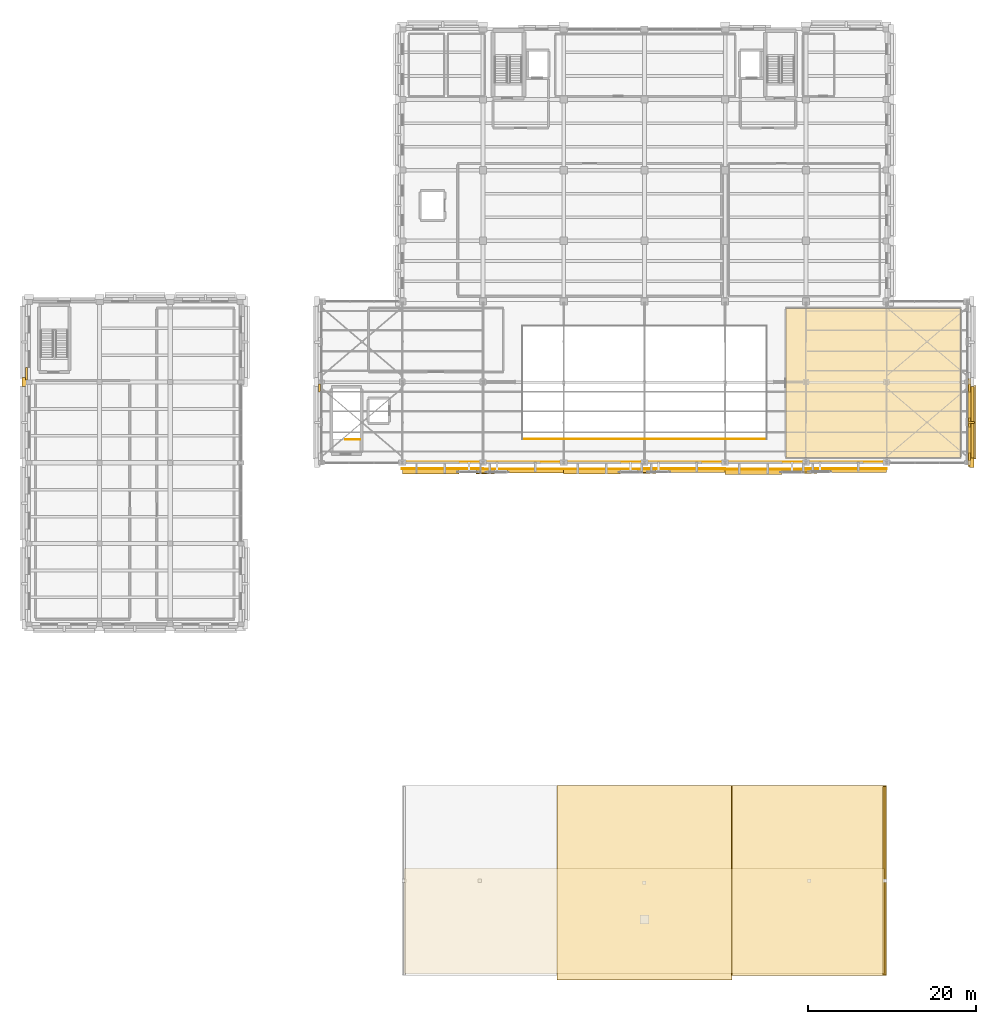
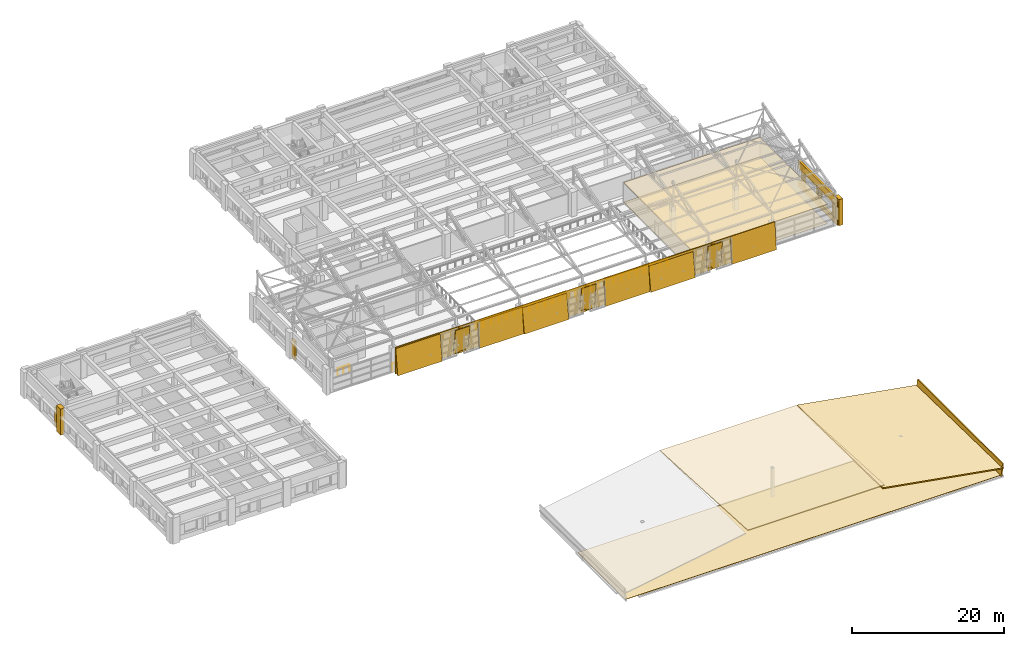
# One storey, part 53 of 58: 32 coverings, 3 railings, 1 shading device.
"""IFC4 building model written with IfcOpenShell, lengths in metres."""

from ifc_helpers import new_model, si_unit, direction, frame, origin, origin_2d, place, context, subcontext, project, spatial, polyline, rectangle, circle, outline, extrude, material, layer, layer_set, type_object, element, save


model = new_model("IFC4")

# Units and contexts
model_context = context("Model", 3, precision=1e-05, world=origin(), true_north=direction((0.0, 1.0)))
body_context = subcontext(model_context, "Body", "Model", "MODEL_VIEW")
ifc_project = project(units=[si_unit("LENGTHUNIT", "METRE"), si_unit("AREAUNIT", "SQUARE_METRE"), si_unit("VOLUMEUNIT", "CUBIC_METRE"), si_unit("PLANEANGLEUNIT", "RADIAN"), si_unit("MASSUNIT", "GRAM", prefix="KILO")], contexts=[model_context])

# Site, building, storey
site_placement = place(None, origin())
site = spatial("IfcSite", under=ifc_project, at=site_placement, CompositionType="ELEMENT")
building_placement = place(site_placement, origin())
building = spatial("IfcBuilding", under=site, at=building_placement, Name="Bempovik Park Faculty of Sciences", CompositionType="ELEMENT")
storey_placement = place(building_placement, frame((0.0, 0.0, 18.300048828125)))
storey = spatial("IfcBuildingStorey", under=building, at=storey_placement, Name="L04", CompositionType="ELEMENT", Elevation=18.300048828125)

# Coverings
ifc_material_1 = material(Name="Acoustic mineral ceiling tile")
ifc_layer_1 = layer(ifc_material_1, 0.0400390625)
ifc_layer_set_1 = layer_set([ifc_layer_1], Name="Acoustic mineral ceiling tile")
covering_type_1 = type_object("IfcCoveringType", Name="CE-01 Acoustic Ceiling 40mm", PredefinedType="CEILING", material=ifc_layer_set_1)
covering_1_placement = place(storey_placement, frame((0.0, 0.0, 3.10986328125)))
element("IfcCovering", 1, at=covering_1_placement, inside=storey, type_object=covering_type_1, Name="L04 Atrium Sawtooth East Seminar Gallery Acoustic Ceiling", PredefinedType="CEILING", context=body_context, shape_type="SweptSolid", body=[
    extrude(outline(polyline([(105.6298828125, 68.429931640625), (126.3701171875, 68.429931640625), (126.3701171875, 86.169921875), (105.6298828125, 86.169921875), (105.6298828125, 68.429931640625)])), origin(), (0.0, 0.0, 1.0), 0.0400390625),
])
ifc_material_2 = material(Name="White reconstituted limestone precast C40/50", Category="masonry")
ifc_layer_2 = layer(ifc_material_2, 0.1201171875)
ifc_layer_set_2 = layer_set([ifc_layer_2], Name="White reconstituted limestone precast C40/50")
covering_type_2 = type_object("IfcCoveringType", Name="CL-01 Crystal Limestone Facet 120mm", PredefinedType="CLADDING", material=ifc_layer_set_2)
covering_2_placement = place(storey_placement, frame((64.800048828125, 67.076904296875, -0.0400390625), z_axis=(0.0, 0.0, 1.0), x_axis=(1.0, 0.0, 0.0)))
element("IfcCovering", 2, at=covering_2_placement, inside=storey, type_object=covering_type_2, Name="L04 White Crystal Seam Backing 678-600", PredefinedType="CLADDING", context=body_context, shape_type="SweptSolid", body=[
    extrude(rectangle(XDim=9.679931640625, YDim=0.10009765625, at=origin_2d()), origin(), (0.0, 0.0, 1.0), 4.280029296875),
])
covering_3_placement = place(storey_placement, frame((63.37158203125, 66.553955078125, -0.021240234375), z_axis=(0.0, 0.132256390257, 0.991215540252), x_axis=(1.0, 0.0, 0.0)))
element("IfcCovering", 3, at=covering_3_placement, inside=storey, type_object=covering_type_2, Name="L04 Tilted Crystal Limestone Facet FAC-CRYS-L04-678-600", PredefinedType="CLADDING", context=body_context, shape_type="SweptSolid", body=[
    extrude(rectangle(XDim=6.742919921875, YDim=0.139892578125, at=origin_2d()), origin(), (0.0, 0.0, 1.0), 4.280029296875),
])
covering_4_placement = place(storey_placement, frame((74.39990234375, 67.062255859375, -0.0400390625), z_axis=(0.0, 0.0, 1.0), x_axis=(1.0, 0.0, 0.0)))
element("IfcCovering", 4, at=covering_4_placement, inside=storey, type_object=covering_type_2, Name="L04 White Crystal Seam Backing 678-696", PredefinedType="CLADDING", context=body_context, shape_type="SweptSolid", body=[
    extrude(rectangle(XDim=9.679931640625, YDim=0.10009765625, at=origin_2d()), origin(), (0.0, 0.0, 1.0), 4.280029296875),
])
covering_5_placement = place(storey_placement, frame((69.848388671875, 67.1201171875, -0.019287109375), z_axis=(0.0, -0.13917310096, 0.990268068742), x_axis=(1.0, 0.0, 0.0)))
element("IfcCovering", 5, at=covering_5_placement, inside=storey, type_object=covering_type_2, Name="L04 Tilted Crystal Limestone Facet FAC-CRYS-L04-678-696", PredefinedType="CLADDING", context=body_context, shape_type="SweptSolid", body=[
    extrude(rectangle(XDim=2.199951171875, YDim=0.139892578125, at=origin_2d()), origin(), (0.0, 0.0, 1.0), 4.280029296875),
])
covering_6_placement = place(storey_placement, frame((75.82861328125, 66.658447265625, -0.0283203125), z_axis=(0.0, 0.104528463268, 0.994521895368), x_axis=(1.0, 0.0, 0.0)))
element("IfcCovering", 6, at=covering_6_placement, inside=storey, type_object=covering_type_2, Name="L04 Counter-Tilted Crystal Facet FAC-CRYS-L04-678-696-R", PredefinedType="CLADDING", context=body_context, shape_type="SweptSolid", body=[
    extrude(rectangle(XDim=6.742919921875, YDim=0.139892578125, at=origin_2d()), origin(), (0.0, 0.0, 1.0), 4.280029296875),
])
covering_7_placement = place(storey_placement, frame((84.0, 67.0546875, -0.0400390625), z_axis=(0.0, 0.0, 1.0), x_axis=(1.0, 0.0, 0.0)))
element("IfcCovering", 7, at=covering_7_placement, inside=storey, type_object=covering_type_2, Name="L04 White Crystal Seam Backing 678-792", PredefinedType="CLADDING", context=body_context, shape_type="SweptSolid", body=[
    extrude(rectangle(XDim=9.679931640625, YDim=0.10009765625, at=origin_2d()), origin(), (0.0, 0.0, 1.0), 4.280029296875),
])
covering_8_placement = place(storey_placement, frame((82.571533203125, 66.509521484375, -0.018310546875), z_axis=(0.0, 0.142628933706, 0.989776230908), x_axis=(1.0, 0.0, 0.0)))
element("IfcCovering", 8, at=covering_8_placement, inside=storey, type_object=covering_type_2, Name="L04 Tilted Crystal Limestone Facet FAC-CRYS-L04-678-792", PredefinedType="CLADDING", context=body_context, shape_type="SweptSolid", body=[
    extrude(rectangle(XDim=6.742919921875, YDim=0.139892578125, at=origin_2d()), origin(), (0.0, 0.0, 1.0), 4.280029296875),
])
covering_9_placement = place(storey_placement, frame((93.60009765625, 67.08447265625, -0.0400390625), z_axis=(0.0, 0.0, 1.0), x_axis=(1.0, 0.0, 0.0)))
element("IfcCovering", 9, at=covering_9_placement, inside=storey, type_object=covering_type_2, Name="L04 White Crystal Seam Backing 678-888", PredefinedType="CLADDING", context=body_context, shape_type="SweptSolid", body=[
    extrude(rectangle(XDim=9.679931640625, YDim=0.10009765625, at=origin_2d()), origin(), (0.0, 0.0, 1.0), 4.280029296875),
])
covering_10_placement = place(storey_placement, frame((89.048583984375, 67.1201171875, -0.022216796875), z_axis=(0.0, -0.128795596578, 0.991671162383), x_axis=(1.0, 0.0, 0.0)))
element("IfcCovering", 10, at=covering_10_placement, inside=storey, type_object=covering_type_2, Name="L04 Tilted Crystal Limestone Facet FAC-CRYS-L04-678-888", PredefinedType="CLADDING", context=body_context, shape_type="SweptSolid", body=[
    extrude(rectangle(XDim=2.199951171875, YDim=0.139892578125, at=origin_2d()), origin(), (0.0, 0.0, 1.0), 4.280029296875),
])
covering_11_placement = place(storey_placement, frame((95.028564453125, 66.697265625, -0.030029296875), z_axis=(0.0, 0.096714362966, 0.995312178161), x_axis=(1.0, 0.0, 0.0)))
element("IfcCovering", 11, at=covering_11_placement, inside=storey, type_object=covering_type_2, Name="L04 Counter-Tilted Crystal Facet FAC-CRYS-L04-678-888-R", PredefinedType="CLADDING", context=body_context, shape_type="SweptSolid", body=[
    extrude(rectangle(XDim=6.742919921875, YDim=0.139892578125, at=origin_2d()), origin(), (0.0, 0.0, 1.0), 4.280029296875),
])
covering_12_placement = place(storey_placement, frame((103.199951171875, 67.04736328125, -0.0400390625), z_axis=(0.0, 0.0, 1.0), x_axis=(1.0, 0.0, 0.0)))
element("IfcCovering", 12, at=covering_12_placement, inside=storey, type_object=covering_type_2, Name="L04 White Crystal Seam Backing 678-984", PredefinedType="CLADDING", context=body_context, shape_type="SweptSolid", body=[
    extrude(rectangle(XDim=9.679931640625, YDim=0.10009765625, at=origin_2d()), origin(), (0.0, 0.0, 1.0), 4.280029296875),
])
covering_13_placement = place(storey_placement, frame((101.771484375, 66.494873046875, -0.01708984375), z_axis=(0.0, 0.146083028562, 0.989272332963), x_axis=(1.0, 0.0, 0.0)))
element("IfcCovering", 13, at=covering_13_placement, inside=storey, type_object=covering_type_2, Name="L04 Tilted Crystal Limestone Facet FAC-CRYS-L04-678-984", PredefinedType="CLADDING", context=body_context, shape_type="SweptSolid", body=[
    extrude(rectangle(XDim=6.742919921875, YDim=0.139892578125, at=origin_2d()), origin(), (0.0, 0.0, 1.0), 4.280029296875),
])
covering_14_placement = place(storey_placement, frame((112.800048828125, 67.106689453125, -0.0400390625), z_axis=(0.0, 0.0, 1.0), x_axis=(1.0, 0.0, 0.0)))
element("IfcCovering", 14, at=covering_14_placement, inside=storey, type_object=covering_type_2, Name="L04 White Crystal Seam Backing 678-1080", PredefinedType="CLADDING", context=body_context, shape_type="SweptSolid", body=[
    extrude(rectangle(XDim=9.679931640625, YDim=0.10009765625, at=origin_2d()), origin(), (0.0, 0.0, 1.0), 4.280029296875),
])
covering_15_placement = place(storey_placement, frame((108.24853515625, 67.1201171875, -0.025146484375), z_axis=(0.0, -0.118403968307, 0.992965508107), x_axis=(1.0, 0.0, 0.0)))
element("IfcCovering", 15, at=covering_15_placement, inside=storey, type_object=covering_type_2, Name="L04 Tilted Crystal Limestone Facet FAC-CRYS-L04-678-1080", PredefinedType="CLADDING", context=body_context, shape_type="SweptSolid", body=[
    extrude(rectangle(XDim=2.199951171875, YDim=0.139892578125, at=origin_2d()), origin(), (0.0, 0.0, 1.0), 4.280029296875),
])
covering_16_placement = place(storey_placement, frame((114.228515625, 66.736328125, -0.03173828125), z_axis=(0.0, 0.088894296866, 0.996041065411), x_axis=(1.0, 0.0, 0.0)))
element("IfcCovering", 16, at=covering_16_placement, inside=storey, type_object=covering_type_2, Name="L04 Counter-Tilted Crystal Facet FAC-CRYS-L04-678-1080-R", PredefinedType="CLADDING", context=body_context, shape_type="SweptSolid", body=[
    extrude(rectangle(XDim=6.742919921875, YDim=0.139892578125, at=origin_2d()), origin(), (0.0, 0.0, 1.0), 4.280029296875),
])
covering_17_placement = place(storey_placement, frame((78.39990234375, 6.300048828125, 5.300048828125), z_axis=(0.0, 0.051886849102, 0.9986529702), x_axis=(1.0, 0.0, 0.0)))
element("IfcCovering", 17, at=covering_17_placement, inside=storey, type_object=covering_type_2, Name="Learning Commons Elevated Crystal Roof Facet LC-FAC-SC", PredefinedType="CLADDING", context=body_context, shape_type="SweptSolid", body=[
    extrude(outline(polyline([(0.0, 0.0), (20.800048828125, 0.0), (20.800048828125, 23.13101167764782), (0.0, 23.13101167764782), (0.0, 0.0)])), origin(), (0.0, 0.0, -1.0), 0.159912109375),
])
covering_18_placement = place(storey_placement, frame((99.199951171875, 6.800048828125, 4.5), z_axis=(0.171311250956, 0.017441233517, 0.985062565865), x_axis=(0.985212426411, 0.0, -0.171337313054)))
element("IfcCovering", 18, at=covering_18_placement, inside=storey, type_object=covering_type_2, Name="Learning Commons Elevated Crystal Roof Facet LC-FAC-SE", PredefinedType="CLADDING", context=body_context, shape_type="SweptSolid", body=[
    extrude(outline(polyline([(0.0, 0.0), (18.676323999889323, 0.0), (18.744884023350313, 22.60329169965845), (0.06856002346098894, 22.60329169965845), (0.0, 0.0)])), origin(), (0.0, 0.0, -1.0), 0.159912109375),
])
covering_19_placement = place(storey_placement, frame((117.281005859375, 18.10009765625, -0.193359375), z_axis=(0.113203213768, 0.0, 0.993571855677), x_axis=(0.0, 1.0, 0.0)))
element("IfcCovering", 19, at=covering_19_placement, inside=storey, type_object=covering_type_2, Name="Learning Commons Crystal Side Clerestory Facet LC-CRYS-E", PredefinedType="CLADDING", context=body_context, shape_type="SweptSolid", body=[
    extrude(rectangle(XDim=22.39990234375, YDim=0.179931640625, at=origin_2d()), origin(), (0.0, 0.0, 1.0), 2.10009765625),
])
ifc_material_3 = material(Name="Precast concrete C40/50", Category="concrete")
ifc_layer_3 = layer(ifc_material_3, 0.179931640625)
ifc_layer_set_3 = layer_set([ifc_layer_3], Name="Precast concrete C40/50")
covering_type_3 = type_object("IfcCoveringType", Name="CL-02 Classical Cornice Band 180mm", PredefinedType="CLADDING", material=ifc_layer_set_3)
covering_20_placement = place(storey_placement, frame((127.77001953125, 72.60009765625, 2.91015625), z_axis=(0.0, 0.0, 1.0), x_axis=(1.0, 0.0, 0.0)))
element("IfcCovering", 20, at=covering_20_placement, inside=storey, type_object=covering_type_3, Name="L04 Classical Stone Solar Window Hood EW-L04-9887", PredefinedType="CLADDING", context=body_context, shape_type="SweptSolid", body=[
    extrude(rectangle(XDim=0.919921875, YDim=8.74609375, at=origin_2d()), origin(), (0.0, 0.0, 1.0), 0.219970703125),
])
ifc_layer_4 = layer(ifc_material_2, 0.239990234375)
ifc_layer_set_4 = layer_set([ifc_layer_4], Name="White reconstituted limestone precast C40/50")
covering_type_4 = type_object("IfcCoveringType", Name="CL-03 Classical Fluted Limestone Pilaster 240mm", PredefinedType="CLADDING", material=ifc_layer_set_4)
covering_21_placement = place(storey_placement, frame((15.070068359375, 77.39990234375, 0.0), z_axis=(0.0, 0.0, 1.0), x_axis=(1.0, 0.0, 0.0)))
element("IfcCovering", 21, at=covering_21_placement, inside=storey, type_object=covering_type_4, Name="L04 Classical Fluted Stone Pilaster PIL-BA-L04-151-774", PredefinedType="CLADDING", context=body_context, shape_type="SweptSolid", body=[
    extrude(rectangle(XDim=0.580078125, YDim=1.10009765625, at=origin_2d()), origin(), (0.0, 0.0, 1.0), 4.199951171875),
])
covering_22_placement = place(storey_placement, frame((15.300048828125, 78.388916015625, 0.0), z_axis=(0.0, 0.0, 1.0), x_axis=(1.0, 0.0, 0.0)))
element("IfcCovering", 22, at=covering_22_placement, inside=storey, type_object=covering_type_4, Name="L04 White Limestone Wall Cheek EW-L04-9340-0", PredefinedType="CLADDING", context=body_context, shape_type="SweptSolid", body=[
    extrude(rectangle(XDim=0.239990234375, YDim=1.43359375, at=origin_2d()), origin(), (0.0, 0.0, 1.0), 3.080078125),
])
covering_23_placement = place(storey_placement, frame((50.1298828125, 76.690185546875, 0.0), z_axis=(0.0, 0.0, 1.0), x_axis=(1.0, 0.0, 0.0)))
element("IfcCovering", 23, at=covering_23_placement, inside=storey, type_object=covering_type_4, Name="L04 White Limestone Wall Cheek EW-L04-9658-4", PredefinedType="CLADDING", context=body_context, shape_type="SweptSolid", body=[
    extrude(rectangle(XDim=0.239990234375, YDim=0.916015625, at=origin_2d()), origin(), (0.0, 0.0, 1.0), 3.080078125),
])
covering_24_placement = place(storey_placement, frame((127.47998046875, 72.60009765625, 2.919921875), z_axis=(0.0, 0.0, 1.0), x_axis=(1.0, 0.0, 0.0)))
element("IfcCovering", 24, at=covering_24_placement, inside=storey, type_object=covering_type_4, Name="L04 Classical Limestone Spandrel Entablature EW-L04-9887", PredefinedType="CLADDING", context=body_context, shape_type="SweptSolid", body=[
    extrude(rectangle(XDim=0.340087890625, YDim=10.446044921875, at=origin_2d()), origin(), (0.0, 0.0, 1.0), 1.280029296875),
])
covering_25_placement = place(storey_placement, frame((127.47998046875, 72.60009765625, 0.0), z_axis=(0.0, 0.0, 1.0), x_axis=(1.0, 0.0, 0.0)))
element("IfcCovering", 25, at=covering_25_placement, inside=storey, type_object=covering_type_4, Name="L04 Classical Limestone Sill Dado EW-L04-9887", PredefinedType="CLADDING", context=body_context, shape_type="SweptSolid", body=[
    extrude(rectangle(XDim=0.340087890625, YDim=10.446044921875, at=origin_2d()), origin(), (0.0, 0.0, 1.0), 0.780029296875),
])
covering_26_placement = place(storey_placement, frame((127.72998046875, 67.800048828125, 0.0), z_axis=(0.0, 0.0, 1.0), x_axis=(1.0, 0.0, 0.0)))
element("IfcCovering", 26, at=covering_26_placement, inside=storey, type_object=covering_type_4, Name="L04 Classical Fluted Stone Pilaster PIL-BA-L04-1277-678", PredefinedType="CLADDING", context=body_context, shape_type="SweptSolid", body=[
    extrude(rectangle(XDim=0.580078125, YDim=1.10009765625, at=origin_2d()), origin(), (0.0, 0.0, 1.0), 4.199951171875),
])
covering_27_placement = place(storey_placement, frame((127.469970703125, 68.510009765625, 0.0), z_axis=(0.0, 0.0, 1.0), x_axis=(1.0, 0.0, 0.0)))
element("IfcCovering", 27, at=covering_27_placement, inside=storey, type_object=covering_type_4, Name="L04 White Limestone Wall Cheek EW-L04-9887-0", PredefinedType="CLADDING", context=body_context, shape_type="SweptSolid", body=[
    extrude(rectangle(XDim=0.239990234375, YDim=0.916015625, at=origin_2d()), origin(), (0.0, 0.0, 1.0), 3.080078125),
])
covering_28_placement = place(storey_placement, frame((127.469970703125, 72.60009765625, 0.0), z_axis=(0.0, 0.0, 1.0), x_axis=(1.0, 0.0, 0.0)))
element("IfcCovering", 28, at=covering_28_placement, inside=storey, type_object=covering_type_4, Name="L04 White Limestone Wall Cheek EW-L04-9887-2", PredefinedType="CLADDING", context=body_context, shape_type="SweptSolid", body=[
    extrude(rectangle(XDim=0.239990234375, YDim=1.104248046875, at=origin_2d()), origin(), (0.0, 0.0, 1.0), 3.080078125),
])
covering_29_placement = place(storey_placement, frame((127.469970703125, 76.690185546875, 0.0), z_axis=(0.0, 0.0, 1.0), x_axis=(1.0, 0.0, 0.0)))
element("IfcCovering", 29, at=covering_29_placement, inside=storey, type_object=covering_type_4, Name="L04 White Limestone Wall Cheek EW-L04-9887-4", PredefinedType="CLADDING", context=body_context, shape_type="SweptSolid", body=[
    extrude(rectangle(XDim=0.239990234375, YDim=0.916015625, at=origin_2d()), origin(), (0.0, 0.0, 1.0), 3.080078125),
])
covering_30_placement = place(storey_placement, frame((127.679931640625, 72.60009765625, 1.300048828125), z_axis=(0.0, 0.0, 1.0), x_axis=(1.0, 0.0, 0.0)))
element("IfcCovering", 30, at=covering_30_placement, inside=storey, type_object=covering_type_4, Name="L04 Classical Vertical Stone Shading Fin EW-L04-9887", PredefinedType="CLADDING", context=body_context, shape_type="SweptSolid", body=[
    extrude(rectangle(XDim=0.719970703125, YDim=0.280029296875, at=origin_2d()), origin(), (0.0, 0.0, 1.0), 1.64990234375),
])
ifc_material_4 = material(Name="Polished mineral terrazzo flooring")
ifc_layer_5 = layer(ifc_material_4, 0.030029296875)
ifc_layer_set_5 = layer_set([ifc_layer_5], Name="Polished mineral terrazzo flooring")
covering_type_5 = type_object("IfcCoveringType", Name="FL-01 Terrazzo Flooring 30mm", PredefinedType="FLOORING", material=ifc_layer_set_5)
covering_31_placement = place(storey_placement, origin())
element("IfcCovering", 31, at=covering_31_placement, inside=storey, type_object=covering_type_5, Name="L04 Atrium Sawtooth East Seminar Gallery Terrazzo Flooring", PredefinedType="FLOORING", context=body_context, shape_type="SweptSolid", body=[
    extrude(outline(polyline([(105.6298828125, 68.429931640625), (126.3701171875, 68.429931640625), (126.3701171875, 86.169921875), (105.6298828125, 86.169921875), (105.6298828125, 68.429931640625)])), origin(), (0.0, 0.0, 1.0), 0.030029296875),
])

# Railings
ifc_material_5 = material(Name="Anodised architectural bronze")
railing_type = type_object("IfcRailingType", Name="GR-01 Guardrail 1120mm", PredefinedType="GUARDRAIL", material=ifc_material_5)
railing_1_placement = place(storey_placement, frame((60.0, 67.919921875, 0.0)))
element("IfcRailing", 32, at=railing_1_placement, inside=storey, type_object=railing_type, Name="L04 Concourse South Edge Guardrail GR-L04-ATRS-678", PredefinedType="GUARDRAIL", context=body_context, shape_type="SweptSolid", body=[
    extrude(circle(Radius=0.02392578125, at=origin_2d()), frame((0.0, 0.0, 1.09619140625), z_axis=(1.0, 0.0, 0.0), x_axis=(0.0, 1.0, 0.0)), (0.0, 0.0, 1.0), 57.60009765625),
    extrude(circle(Radius=0.02099609375, at=origin_2d()), origin(), (0.0, 0.0, 1.0), 1.072021484375),
    extrude(circle(Radius=0.02099609375, at=origin_2d()), frame((1.175537109375, 0.0, 0.0)), (0.0, 0.0, 1.0), 1.072021484375),
    extrude(circle(Radius=0.02099609375, at=origin_2d()), frame((2.35107421875, 0.0, 0.0)), (0.0, 0.0, 1.0), 1.072021484375),
    extrude(circle(Radius=0.02099609375, at=origin_2d()), frame((3.526611328125, 0.0, 0.0)), (0.0, 0.0, 1.0), 1.072021484375),
    extrude(circle(Radius=0.02099609375, at=origin_2d()), frame((4.7021484375, 0.0, 0.0)), (0.0, 0.0, 1.0), 1.072021484375),
    extrude(circle(Radius=0.02099609375, at=origin_2d()), frame((5.87744140625, 0.0, 0.0)), (0.0, 0.0, 1.0), 1.072021484375),
    extrude(circle(Radius=0.02099609375, at=origin_2d()), frame((7.052978515625, 0.0, 0.0)), (0.0, 0.0, 1.0), 1.072021484375),
    extrude(circle(Radius=0.02099609375, at=origin_2d()), frame((8.228515625, 0.0, 0.0)), (0.0, 0.0, 1.0), 1.072021484375),
    extrude(circle(Radius=0.02099609375, at=origin_2d()), frame((9.404052734375, 0.0, 0.0)), (0.0, 0.0, 1.0), 1.072021484375),
    extrude(circle(Radius=0.02099609375, at=origin_2d()), frame((10.57958984375, 0.0, 0.0)), (0.0, 0.0, 1.0), 1.072021484375),
    extrude(circle(Radius=0.02099609375, at=origin_2d()), frame((11.755126953125, 0.0, 0.0)), (0.0, 0.0, 1.0), 1.072021484375),
    extrude(circle(Radius=0.02099609375, at=origin_2d()), frame((12.9306640625, 0.0, 0.0)), (0.0, 0.0, 1.0), 1.072021484375),
    extrude(circle(Radius=0.02099609375, at=origin_2d()), frame((14.106201171875, 0.0, 0.0)), (0.0, 0.0, 1.0), 1.072021484375),
    extrude(circle(Radius=0.02099609375, at=origin_2d()), frame((15.28173828125, 0.0, 0.0)), (0.0, 0.0, 1.0), 1.072021484375),
    extrude(circle(Radius=0.02099609375, at=origin_2d()), frame((16.457275390625, 0.0, 0.0)), (0.0, 0.0, 1.0), 1.072021484375),
    extrude(circle(Radius=0.02099609375, at=origin_2d()), frame((17.632568359375, 0.0, 0.0)), (0.0, 0.0, 1.0), 1.072021484375),
    extrude(circle(Radius=0.02099609375, at=origin_2d()), frame((18.80810546875, 0.0, 0.0)), (0.0, 0.0, 1.0), 1.072021484375),
    extrude(circle(Radius=0.02099609375, at=origin_2d()), frame((19.983642578125, 0.0, 0.0)), (0.0, 0.0, 1.0), 1.072021484375),
    extrude(circle(Radius=0.02099609375, at=origin_2d()), frame((21.1591796875, 0.0, 0.0)), (0.0, 0.0, 1.0), 1.072021484375),
    extrude(circle(Radius=0.02099609375, at=origin_2d()), frame((22.334716796875, 0.0, 0.0)), (0.0, 0.0, 1.0), 1.072021484375),
    extrude(circle(Radius=0.02099609375, at=origin_2d()), frame((23.51025390625, 0.0, 0.0)), (0.0, 0.0, 1.0), 1.072021484375),
    extrude(circle(Radius=0.02099609375, at=origin_2d()), frame((24.685791015625, 0.0, 0.0)), (0.0, 0.0, 1.0), 1.072021484375),
    extrude(circle(Radius=0.02099609375, at=origin_2d()), frame((25.861328125, 0.0, 0.0)), (0.0, 0.0, 1.0), 1.072021484375),
    extrude(circle(Radius=0.02099609375, at=origin_2d()), frame((27.036865234375, 0.0, 0.0)), (0.0, 0.0, 1.0), 1.072021484375),
    extrude(circle(Radius=0.02099609375, at=origin_2d()), frame((28.21240234375, 0.0, 0.0)), (0.0, 0.0, 1.0), 1.072021484375),
    extrude(circle(Radius=0.02099609375, at=origin_2d()), frame((29.3876953125, 0.0, 0.0)), (0.0, 0.0, 1.0), 1.072021484375),
    extrude(circle(Radius=0.02099609375, at=origin_2d()), frame((30.563232421875, 0.0, 0.0)), (0.0, 0.0, 1.0), 1.072021484375),
    extrude(circle(Radius=0.02099609375, at=origin_2d()), frame((31.73876953125, 0.0, 0.0)), (0.0, 0.0, 1.0), 1.072021484375),
    extrude(circle(Radius=0.02099609375, at=origin_2d()), frame((32.914306640625, 0.0, 0.0)), (0.0, 0.0, 1.0), 1.072021484375),
    extrude(circle(Radius=0.02099609375, at=origin_2d()), frame((34.08984375, 0.0, 0.0)), (0.0, 0.0, 1.0), 1.072021484375),
    extrude(circle(Radius=0.02099609375, at=origin_2d()), frame((35.265380859375, 0.0, 0.0)), (0.0, 0.0, 1.0), 1.072021484375),
    extrude(circle(Radius=0.02099609375, at=origin_2d()), frame((36.44091796875, 0.0, 0.0)), (0.0, 0.0, 1.0), 1.072021484375),
    extrude(circle(Radius=0.02099609375, at=origin_2d()), frame((37.616455078125, 0.0, 0.0)), (0.0, 0.0, 1.0), 1.072021484375),
    extrude(circle(Radius=0.02099609375, at=origin_2d()), frame((38.7919921875, 0.0, 0.0)), (0.0, 0.0, 1.0), 1.072021484375),
    extrude(circle(Radius=0.02099609375, at=origin_2d()), frame((39.967529296875, 0.0, 0.0)), (0.0, 0.0, 1.0), 1.072021484375),
    extrude(circle(Radius=0.02099609375, at=origin_2d()), frame((41.142822265625, 0.0, 0.0)), (0.0, 0.0, 1.0), 1.072021484375),
    extrude(circle(Radius=0.02099609375, at=origin_2d()), frame((42.318359375, 0.0, 0.0)), (0.0, 0.0, 1.0), 1.072021484375),
    extrude(circle(Radius=0.02099609375, at=origin_2d()), frame((43.493896484375, 0.0, 0.0)), (0.0, 0.0, 1.0), 1.072021484375),
    extrude(circle(Radius=0.02099609375, at=origin_2d()), frame((44.66943359375, 0.0, 0.0)), (0.0, 0.0, 1.0), 1.072021484375),
    extrude(circle(Radius=0.02099609375, at=origin_2d()), frame((45.844970703125, 0.0, 0.0)), (0.0, 0.0, 1.0), 1.072021484375),
    extrude(circle(Radius=0.02099609375, at=origin_2d()), frame((47.0205078125, 0.0, 0.0)), (0.0, 0.0, 1.0), 1.072021484375),
    extrude(circle(Radius=0.02099609375, at=origin_2d()), frame((48.196044921875, 0.0, 0.0)), (0.0, 0.0, 1.0), 1.072021484375),
    extrude(circle(Radius=0.02099609375, at=origin_2d()), frame((49.37158203125, 0.0, 0.0)), (0.0, 0.0, 1.0), 1.072021484375),
    extrude(circle(Radius=0.02099609375, at=origin_2d()), frame((50.547119140625, 0.0, 0.0)), (0.0, 0.0, 1.0), 1.072021484375),
    extrude(circle(Radius=0.02099609375, at=origin_2d()), frame((51.72265625, 0.0, 0.0)), (0.0, 0.0, 1.0), 1.072021484375),
    extrude(circle(Radius=0.02099609375, at=origin_2d()), frame((52.89794921875, 0.0, 0.0)), (0.0, 0.0, 1.0), 1.072021484375),
    extrude(circle(Radius=0.02099609375, at=origin_2d()), frame((54.073486328125, 0.0, 0.0)), (0.0, 0.0, 1.0), 1.072021484375),
    extrude(circle(Radius=0.02099609375, at=origin_2d()), frame((55.2490234375, 0.0, 0.0)), (0.0, 0.0, 1.0), 1.072021484375),
    extrude(circle(Radius=0.02099609375, at=origin_2d()), frame((56.424560546875, 0.0, 0.0)), (0.0, 0.0, 1.0), 1.072021484375),
    extrude(circle(Radius=0.02099609375, at=origin_2d()), frame((57.60009765625, 0.0, 0.0)), (0.0, 0.0, 1.0), 1.072021484375),
])
railing_2_placement = place(storey_placement, frame((55.0, 70.574951171875, 0.0)))
element("IfcRailing", 33, at=railing_2_placement, inside=storey, type_object=railing_type, Name="L04 ST-4 Top Well Guard 1", PredefinedType="GUARDRAIL", context=body_context, shape_type="SweptSolid", body=[
    extrude(circle(Radius=0.02392578125, at=origin_2d()), frame((0.0, 0.0, 1.09619140625), z_axis=(-1.0, 0.0, 0.0), x_axis=(0.0, -1.0, 0.0)), (0.0, 0.0, 1.0), 1.75),
    extrude(circle(Radius=0.02099609375, at=origin_2d()), origin(), (0.0, 0.0, 1.0), 1.072021484375),
    extrude(circle(Radius=0.02099609375, at=origin_2d()), frame((-0.875, 0.0, 0.0)), (0.0, 0.0, 1.0), 1.072021484375),
    extrude(circle(Radius=0.02099609375, at=origin_2d()), frame((-1.75, 0.0, 0.0)), (0.0, 0.0, 1.0), 1.072021484375),
])
railing_3_placement = place(storey_placement, frame((74.27490234375, 70.64990234375, 0.0)))
element("IfcRailing", 34, at=railing_3_placement, inside=storey, type_object=railing_type, Name="L04 Atrium Void South Guardrail", PredefinedType="GUARDRAIL", context=body_context, shape_type="SweptSolid", body=[
    extrude(circle(Radius=0.02392578125, at=origin_2d()), frame((0.0, 0.0, 1.09619140625), z_axis=(1.0, 0.0, 0.0), x_axis=(0.0, 1.0, 0.0)), (0.0, 0.0, 1.0), 29.0751953125),
    extrude(circle(Radius=0.02099609375, at=origin_2d()), origin(), (0.0, 0.0, 1.0), 1.072021484375),
    extrude(circle(Radius=0.02099609375, at=origin_2d()), frame((1.1630859375, 0.0, 0.0)), (0.0, 0.0, 1.0), 1.072021484375),
    extrude(circle(Radius=0.02099609375, at=origin_2d()), frame((2.325927734375, 0.0, 0.0)), (0.0, 0.0, 1.0), 1.072021484375),
    extrude(circle(Radius=0.02099609375, at=origin_2d()), frame((3.489013671875, 0.0, 0.0)), (0.0, 0.0, 1.0), 1.072021484375),
    extrude(circle(Radius=0.02099609375, at=origin_2d()), frame((4.652099609375, 0.0, 0.0)), (0.0, 0.0, 1.0), 1.072021484375),
    extrude(circle(Radius=0.02099609375, at=origin_2d()), frame((5.81494140625, 0.0, 0.0)), (0.0, 0.0, 1.0), 1.072021484375),
    extrude(circle(Radius=0.02099609375, at=origin_2d()), frame((6.97802734375, 0.0, 0.0)), (0.0, 0.0, 1.0), 1.072021484375),
    extrude(circle(Radius=0.02099609375, at=origin_2d()), frame((8.14111328125, 0.0, 0.0)), (0.0, 0.0, 1.0), 1.072021484375),
    extrude(circle(Radius=0.02099609375, at=origin_2d()), frame((9.303955078125, 0.0, 0.0)), (0.0, 0.0, 1.0), 1.072021484375),
    extrude(circle(Radius=0.02099609375, at=origin_2d()), frame((10.467041015625, 0.0, 0.0)), (0.0, 0.0, 1.0), 1.072021484375),
    extrude(circle(Radius=0.02099609375, at=origin_2d()), frame((11.630126953125, 0.0, 0.0)), (0.0, 0.0, 1.0), 1.072021484375),
    extrude(circle(Radius=0.02099609375, at=origin_2d()), frame((12.79296875, 0.0, 0.0)), (0.0, 0.0, 1.0), 1.072021484375),
    extrude(circle(Radius=0.02099609375, at=origin_2d()), frame((13.9560546875, 0.0, 0.0)), (0.0, 0.0, 1.0), 1.072021484375),
    extrude(circle(Radius=0.02099609375, at=origin_2d()), frame((15.119140625, 0.0, 0.0)), (0.0, 0.0, 1.0), 1.072021484375),
    extrude(circle(Radius=0.02099609375, at=origin_2d()), frame((16.2822265625, 0.0, 0.0)), (0.0, 0.0, 1.0), 1.072021484375),
    extrude(circle(Radius=0.02099609375, at=origin_2d()), frame((17.445068359375, 0.0, 0.0)), (0.0, 0.0, 1.0), 1.072021484375),
    extrude(circle(Radius=0.02099609375, at=origin_2d()), frame((18.608154296875, 0.0, 0.0)), (0.0, 0.0, 1.0), 1.072021484375),
    extrude(circle(Radius=0.02099609375, at=origin_2d()), frame((19.771240234375, 0.0, 0.0)), (0.0, 0.0, 1.0), 1.072021484375),
    extrude(circle(Radius=0.02099609375, at=origin_2d()), frame((20.93408203125, 0.0, 0.0)), (0.0, 0.0, 1.0), 1.072021484375),
    extrude(circle(Radius=0.02099609375, at=origin_2d()), frame((22.09716796875, 0.0, 0.0)), (0.0, 0.0, 1.0), 1.072021484375),
    extrude(circle(Radius=0.02099609375, at=origin_2d()), frame((23.26025390625, 0.0, 0.0)), (0.0, 0.0, 1.0), 1.072021484375),
    extrude(circle(Radius=0.02099609375, at=origin_2d()), frame((24.423095703125, 0.0, 0.0)), (0.0, 0.0, 1.0), 1.072021484375),
    extrude(circle(Radius=0.02099609375, at=origin_2d()), frame((25.586181640625, 0.0, 0.0)), (0.0, 0.0, 1.0), 1.072021484375),
    extrude(circle(Radius=0.02099609375, at=origin_2d()), frame((26.749267578125, 0.0, 0.0)), (0.0, 0.0, 1.0), 1.072021484375),
    extrude(circle(Radius=0.02099609375, at=origin_2d()), frame((27.912109375, 0.0, 0.0)), (0.0, 0.0, 1.0), 1.072021484375),
    extrude(circle(Radius=0.02099609375, at=origin_2d()), frame((29.0751953125, 0.0, 0.0)), (0.0, 0.0, 1.0), 1.072021484375),
])

# Covering
ifc_material_6 = material(Name="Insulated cool-roof membrane")
ifc_layer_6 = layer(ifc_material_6, 0.06005859375)
ifc_layer_set_6 = layer_set([ifc_layer_6], Name="Insulated cool-roof membrane")
covering_type_6 = type_object("IfcCoveringType", Name="RF-01 Cool Roof Membrane 60mm", PredefinedType="ROOFING", material=ifc_layer_set_6)
covering_32_placement = place(storey_placement, origin())
element("IfcCovering", 35, at=covering_32_placement, inside=storey, type_object=covering_type_6, Name="Cool-Roof Membrane RF-V1-CANT", PredefinedType="ROOFING", context=body_context, shape_type="SweptSolid", body=[
    extrude(outline(polyline([(60.25, 7.050048828125), (117.35009765625, 7.050048828125), (117.35009765625, 19.550048828125), (60.25, 19.550048828125), (60.25, 7.050048828125)])), origin(), (0.0, 0.0, 1.0), 0.06005859375),
])

# Shading device
ifc_layer_7 = layer(ifc_material_5, 0.06005859375)
ifc_layer_set_7 = layer_set([ifc_layer_7], Name="Anodised architectural bronze")
shading_device_type = type_object("IfcShadingDeviceType", Name="SH-01 Bronze Brise-Soleil Fin", PredefinedType="USERDEFINED", material=ifc_layer_set_7)
shading_device_placement = place(storey_placement, frame((127.64990234375, 72.60009765625, 2.849853515625), z_axis=(0.0, 0.0, 1.0), x_axis=(1.0, 0.0, 0.0)))
element("IfcShadingDevice", 36, at=shading_device_placement, inside=storey, type_object=shading_device_type, Name="L04 Equatorial Bronze Brise-Soleil EW-L04-9887", ObjectType="BRISE SOLEIL", PredefinedType="USERDEFINED", context=body_context, shape_type="SweptSolid", body=[
    extrude(rectangle(XDim=0.64990234375, YDim=8.595947265625, at=origin_2d()), origin(), (0.0, 0.0, 1.0), 0.06005859375),
])

save(model, "model.ifc")
